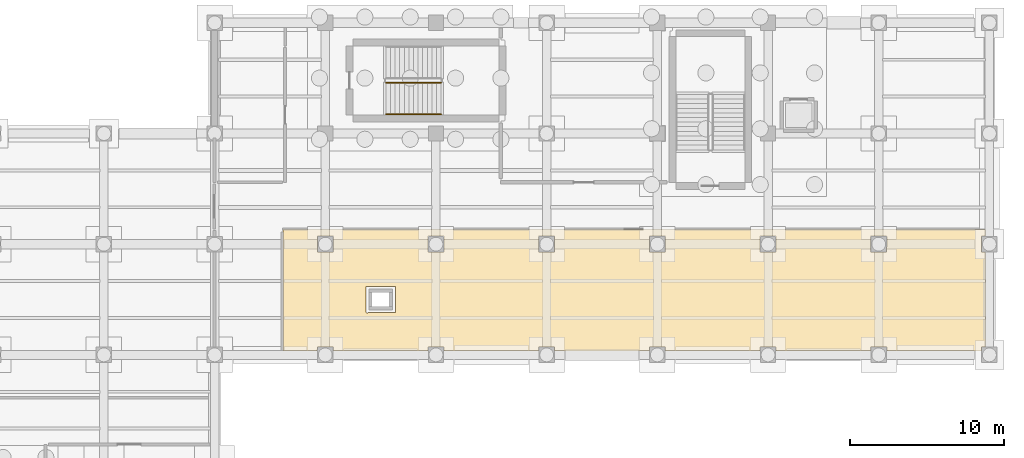
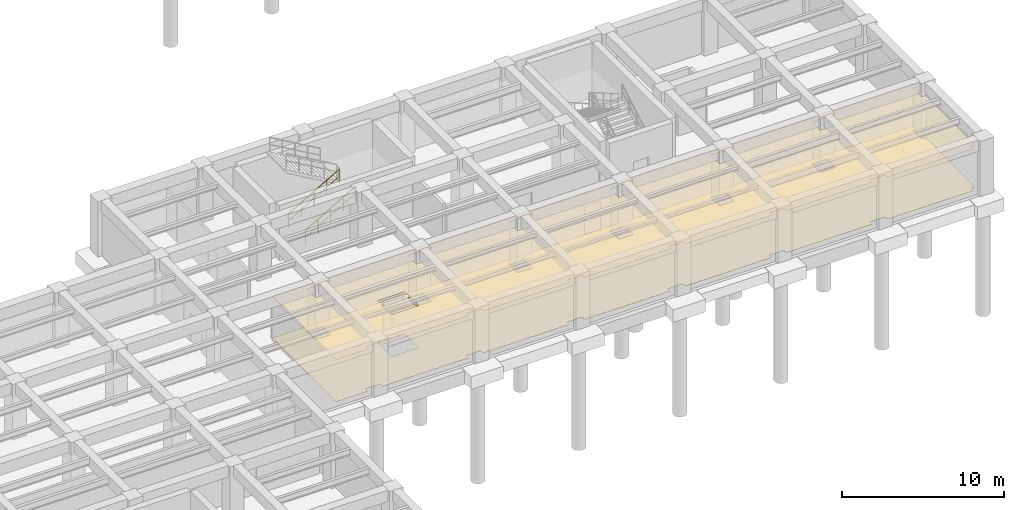
# One storey, part 31 of 34: 2 coverings, 2 railings.
"""IFC4 building model written with IfcOpenShell, lengths in metres."""

from ifc_helpers import new_model, si_unit, direction, frame, origin, origin_2d, place, context, subcontext, project, spatial, polyline, circle, outline, extrude, material, layer, layer_set, type_object, element, save


model = new_model("IFC4")

# Units and contexts
model_context = context("Model", 3, precision=1e-05, world=origin(), true_north=direction((0.0, 1.0)))
body_context = subcontext(model_context, "Body", "Model", "MODEL_VIEW")
ifc_project = project(units=[si_unit("LENGTHUNIT", "METRE"), si_unit("AREAUNIT", "SQUARE_METRE"), si_unit("VOLUMEUNIT", "CUBIC_METRE"), si_unit("PLANEANGLEUNIT", "RADIAN"), si_unit("MASSUNIT", "GRAM", prefix="KILO")], contexts=[model_context])

# Site, building, storey
site_placement = place(None, origin())
site = spatial("IfcSite", under=ifc_project, at=site_placement, CompositionType="ELEMENT")
building_placement = place(site_placement, origin())
building = spatial("IfcBuilding", under=site, at=building_placement, Name="Solenvale Faculty of Natural Sciences", CompositionType="ELEMENT")
storey_placement = place(building_placement, frame((0.0, 0.0, -4.5)))
storey = spatial("IfcBuildingStorey", under=building, at=storey_placement, Name="B01", CompositionType="ELEMENT", Elevation=-4.5)

# Coverings
ifc_material_1 = material(Name="Acoustic mineral-timber ceiling", Category="wood")
ifc_layer_1 = layer(ifc_material_1, 0.02490234375)
ifc_layer_set_1 = layer_set([ifc_layer_1], Name="Acoustic mineral-timber ceiling")
covering_type_1 = type_object("IfcCoveringType", Name="COV-CEIL-AC25", PredefinedType="CEILING", material=ifc_layer_set_1)
covering_1_placement = place(storey_placement, frame((0.0, 0.0, 3.1650390625)))
element("IfcCovering", 1, at=covering_1_placement, inside=storey, type_object=covering_type_1, Name="B01 Science Library Reference Reading Hall Acoustic Ceiling", PredefinedType="CEILING", context=body_context, shape_type="SweptSolid", body=[
    extrude(outline(polyline([(165.360107421875, 43.7548828125), (165.3330078125, 43.72509765625), (165.0859375, 43.72509765625), (165.074951171875, 43.714111328125), (165.074951171875, 42.681884765625), (165.3330078125, 42.675048828125), (165.360107421875, 42.64501953125), (165.360107421875, 36.554931640625), (165.3330078125, 36.52490234375), (165.077880859375, 36.52197265625), (165.074951171875, 36.26708984375), (165.051025390625, 36.240966796875), (158.955078125, 36.239990234375), (158.925048828125, 36.26708984375), (158.925048828125, 36.513916015625), (158.9140625, 36.52490234375), (157.882080078125, 36.52490234375), (157.875, 36.26708984375), (157.844970703125, 36.239990234375), (151.7548828125, 36.239990234375), (151.72509765625, 36.26708984375), (151.72509765625, 36.513916015625), (151.714111328125, 36.52490234375), (150.681884765625, 36.52490234375), (150.675048828125, 36.26708984375), (150.64501953125, 36.239990234375), (144.554931640625, 36.239990234375), (144.52490234375, 36.26708984375), (144.52490234375, 36.513916015625), (144.513916015625, 36.52490234375), (143.48193359375, 36.52490234375), (143.47509765625, 36.26708984375), (143.445068359375, 36.239990234375), (137.35498046875, 36.239990234375), (137.324951171875, 36.26708984375), (137.324951171875, 36.513916015625), (137.31396484375, 36.52490234375), (136.281982421875, 36.52490234375), (136.27490234375, 36.26708984375), (136.2451171875, 36.239990234375), (130.155029296875, 36.239990234375), (130.125, 36.26708984375), (130.125, 36.513916015625), (130.114013671875, 36.52490234375), (129.08203125, 36.52490234375), (129.074951171875, 36.26708984375), (129.044921875, 36.239990234375), (122.955078125, 36.239990234375), (122.925048828125, 36.26708984375), (122.925048828125, 36.513916015625), (122.9140625, 36.52490234375), (121.882080078125, 36.52490234375), (121.875, 36.26708984375), (121.847900390625, 36.239990234375), (119.669921875, 36.239990234375), (119.64111328125, 36.263916015625), (119.639892578125, 44.1298828125), (119.6640625, 44.158935546875), (165.330078125, 44.159912109375), (165.360107421875, 44.133056640625), (165.360107421875, 43.7548828125)]), holes=[polyline([(158.925048828125, 43.714111328125), (158.9140625, 43.72509765625), (157.8779296875, 43.721923828125), (157.8779296875, 42.677978515625), (158.922119140625, 42.677978515625), (158.925048828125, 43.714111328125)]), polyline([(150.68603515625, 43.72509765625), (150.675048828125, 43.714111328125), (150.677978515625, 42.677978515625), (151.721923828125, 42.677978515625), (151.721923828125, 43.721923828125), (150.68603515625, 43.72509765625)]), polyline([(144.52490234375, 43.714111328125), (144.513916015625, 43.72509765625), (143.47802734375, 43.721923828125), (143.47802734375, 42.677978515625), (144.52197265625, 42.677978515625), (144.52490234375, 43.714111328125)]), polyline([(137.324951171875, 43.714111328125), (137.31396484375, 43.72509765625), (136.278076171875, 43.721923828125), (136.278076171875, 42.677978515625), (137.322021484375, 42.677978515625), (137.324951171875, 43.714111328125)]), polyline([(130.125, 43.714111328125), (130.114013671875, 43.72509765625), (129.077880859375, 43.721923828125), (129.077880859375, 42.677978515625), (130.1220703125, 42.677978515625), (130.125, 43.714111328125)]), polyline([(126.9599609375, 40.431884765625), (126.949951171875, 40.451904296875), (126.929931640625, 40.4599609375), (125.050048828125, 40.451904296875), (125.0400390625, 40.429931640625), (125.048095703125, 38.75), (125.070068359375, 38.739990234375), (126.949951171875, 38.748046875), (126.9599609375, 38.77001953125), (126.9599609375, 40.431884765625)]), polyline([(122.925048828125, 43.714111328125), (122.9140625, 43.72509765625), (121.8779296875, 43.721923828125), (121.8779296875, 42.677978515625), (122.922119140625, 42.677978515625), (122.925048828125, 43.714111328125)])]), origin(), (0.0, 0.0, 1.0), 0.02490234375),
])
ifc_material_2 = material(Name="Polished slate terrazzo flooring", Category="masonry")
ifc_layer_2 = layer(ifc_material_2, 0.01806640625)
ifc_layer_set_2 = layer_set([ifc_layer_2], Name="Polished slate terrazzo flooring")
covering_type_2 = type_object("IfcCoveringType", Name="COV-FLR-TRZ18", PredefinedType="FLOORING", material=ifc_layer_set_2)
covering_2_placement = place(storey_placement, origin())
element("IfcCovering", 2, at=covering_2_placement, inside=storey, type_object=covering_type_2, Name="B01 Science Library Reference Reading Hall Floor Finish", PredefinedType="FLOORING", context=body_context, shape_type="SweptSolid", body=[
    extrude(outline(polyline([(165.360107421875, 43.7548828125), (165.3330078125, 43.72509765625), (165.0859375, 43.72509765625), (165.074951171875, 43.714111328125), (165.074951171875, 42.681884765625), (165.3330078125, 42.675048828125), (165.360107421875, 42.64501953125), (165.360107421875, 36.554931640625), (165.3330078125, 36.52490234375), (165.077880859375, 36.52197265625), (165.074951171875, 36.26708984375), (165.051025390625, 36.240966796875), (158.955078125, 36.239990234375), (158.925048828125, 36.26708984375), (158.925048828125, 36.513916015625), (158.9140625, 36.52490234375), (157.882080078125, 36.52490234375), (157.875, 36.26708984375), (157.844970703125, 36.239990234375), (151.7548828125, 36.239990234375), (151.72509765625, 36.26708984375), (151.72509765625, 36.513916015625), (151.714111328125, 36.52490234375), (150.681884765625, 36.52490234375), (150.675048828125, 36.26708984375), (150.64501953125, 36.239990234375), (144.554931640625, 36.239990234375), (144.52490234375, 36.26708984375), (144.52490234375, 36.513916015625), (144.513916015625, 36.52490234375), (143.48193359375, 36.52490234375), (143.47509765625, 36.26708984375), (143.445068359375, 36.239990234375), (137.35498046875, 36.239990234375), (137.324951171875, 36.26708984375), (137.324951171875, 36.513916015625), (137.31396484375, 36.52490234375), (136.281982421875, 36.52490234375), (136.27490234375, 36.26708984375), (136.2451171875, 36.239990234375), (130.155029296875, 36.239990234375), (130.125, 36.26708984375), (130.125, 36.513916015625), (130.114013671875, 36.52490234375), (129.08203125, 36.52490234375), (129.074951171875, 36.26708984375), (129.044921875, 36.239990234375), (122.955078125, 36.239990234375), (122.925048828125, 36.26708984375), (122.925048828125, 36.513916015625), (122.9140625, 36.52490234375), (121.882080078125, 36.52490234375), (121.875, 36.26708984375), (121.847900390625, 36.239990234375), (119.669921875, 36.239990234375), (119.64111328125, 36.263916015625), (119.639892578125, 44.1298828125), (119.6640625, 44.158935546875), (165.330078125, 44.159912109375), (165.360107421875, 44.133056640625), (165.360107421875, 43.7548828125)]), holes=[polyline([(158.925048828125, 43.714111328125), (158.9140625, 43.72509765625), (157.8779296875, 43.721923828125), (157.8779296875, 42.677978515625), (158.922119140625, 42.677978515625), (158.925048828125, 43.714111328125)]), polyline([(150.68603515625, 43.72509765625), (150.675048828125, 43.714111328125), (150.677978515625, 42.677978515625), (151.721923828125, 42.677978515625), (151.721923828125, 43.721923828125), (150.68603515625, 43.72509765625)]), polyline([(144.52490234375, 43.714111328125), (144.513916015625, 43.72509765625), (143.47802734375, 43.721923828125), (143.47802734375, 42.677978515625), (144.52197265625, 42.677978515625), (144.52490234375, 43.714111328125)]), polyline([(137.324951171875, 43.714111328125), (137.31396484375, 43.72509765625), (136.278076171875, 43.721923828125), (136.278076171875, 42.677978515625), (137.322021484375, 42.677978515625), (137.324951171875, 43.714111328125)]), polyline([(130.125, 43.714111328125), (130.114013671875, 43.72509765625), (129.077880859375, 43.721923828125), (129.077880859375, 42.677978515625), (130.1220703125, 42.677978515625), (130.125, 43.714111328125)]), polyline([(126.9599609375, 40.431884765625), (126.949951171875, 40.451904296875), (126.929931640625, 40.4599609375), (125.050048828125, 40.451904296875), (125.0400390625, 40.429931640625), (125.048095703125, 38.75), (125.070068359375, 38.739990234375), (126.949951171875, 38.748046875), (126.9599609375, 38.77001953125), (126.9599609375, 40.431884765625)]), polyline([(122.925048828125, 43.714111328125), (122.9140625, 43.72509765625), (121.8779296875, 43.721923828125), (121.8779296875, 42.677978515625), (122.922119140625, 42.677978515625), (122.925048828125, 43.714111328125)])]), origin(), (0.0, 0.0, 1.0), 0.01806640625),
])

# Railings
ifc_material_3 = material(Name="Stainless steel Grade 304", Category="steel")
railing_type_1 = type_object("IfcRailingType", Name="RL-GRD-1100", PredefinedType="GUARDRAIL", material=ifc_material_3)
railing_1_placement = place(storey_placement, frame((126.340087890625, 53.699951171875, 0.173095703125)))
element("IfcRailing", 3, at=railing_1_placement, inside=storey, type_object=railing_type_1, Name="B01 ST-08 stair guard 1", PredefinedType="GUARDRAIL", context=body_context, shape_type="SweptSolid", body=[
    extrude(circle(Radius=0.02392578125, at=origin_2d()), frame((0.0, 0.0, 1.09619140625), z_axis=(0.866178740119, 0.0, 0.499734319579), x_axis=(0.0, 1.0, 0.0)), (0.0, 0.0, 1.0), 4.156005859375),
    extrude(circle(Radius=0.01611328125, at=origin_2d()), frame((0.0, 0.0, 0.56005859375), z_axis=(0.866178740119, 0.0, 0.499734319579), x_axis=(0.0, 1.0, 0.0)), (0.0, 0.0, 1.0), 4.156005859375),
    extrude(circle(Radius=0.02099609375, at=origin_2d()), origin(), (0.0, 0.0, 1.0), 1.072021484375),
    extrude(circle(Radius=0.02099609375, at=origin_2d()), frame((0.89990234375, 0.0, 0.519287109375)), (0.0, 0.0, 1.0), 1.072021484375),
    extrude(circle(Radius=0.02099609375, at=origin_2d()), frame((1.7998046875, 0.0, 1.03857421875)), (0.0, 0.0, 1.0), 1.072021484375),
    extrude(circle(Radius=0.02099609375, at=origin_2d()), frame((2.699951171875, 0.0, 1.5576171875)), (0.0, 0.0, 1.0), 1.072021484375),
    extrude(circle(Radius=0.02099609375, at=origin_2d()), frame((3.599853515625, 0.0, 2.076904296875)), (0.0, 0.0, 1.0), 1.072021484375),
])
railing_type_2 = type_object("IfcRailingType", Name="RL-HND-900", PredefinedType="HANDRAIL", material=ifc_material_3)
railing_2_placement = place(storey_placement, frame((126.340087890625, 51.64990234375, 0.173095703125)))
element("IfcRailing", 4, at=railing_2_placement, inside=storey, type_object=railing_type_2, Name="B01 ST-08 stair handrail 1", PredefinedType="HANDRAIL", context=body_context, shape_type="SweptSolid", body=[
    extrude(circle(Radius=0.02392578125, at=origin_2d()), frame((0.0, 0.0, 1.0732421875), z_axis=(0.866178740119, 0.0, 0.499734319579), x_axis=(0.0, 1.0, 0.0)), (0.0, 0.0, 1.0), 4.156005859375),
    extrude(circle(Radius=0.01611328125, at=origin_2d()), frame((0.0, 0.0, 0.548583984375), z_axis=(0.866178740119, 0.0, 0.499734319579), x_axis=(0.0, 1.0, 0.0)), (0.0, 0.0, 1.0), 4.156005859375),
    extrude(circle(Radius=0.02099609375, at=origin_2d()), origin(), (0.0, 0.0, 1.0), 1.049072265625),
    extrude(circle(Radius=0.02099609375, at=origin_2d()), frame((0.89990234375, 0.0, 0.519287109375)), (0.0, 0.0, 1.0), 1.049072265625),
    extrude(circle(Radius=0.02099609375, at=origin_2d()), frame((1.7998046875, 0.0, 1.03857421875)), (0.0, 0.0, 1.0), 1.049072265625),
    extrude(circle(Radius=0.02099609375, at=origin_2d()), frame((2.699951171875, 0.0, 1.5576171875)), (0.0, 0.0, 1.0), 1.049072265625),
    extrude(circle(Radius=0.02099609375, at=origin_2d()), frame((3.599853515625, 0.0, 2.076904296875)), (0.0, 0.0, 1.0), 1.049072265625),
])

save(model, "model.ifc")
